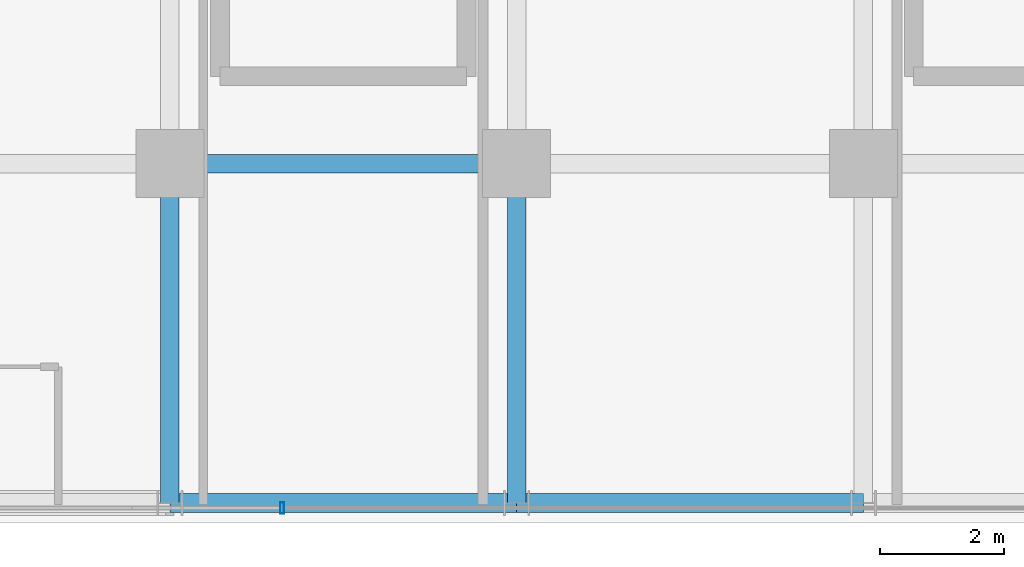
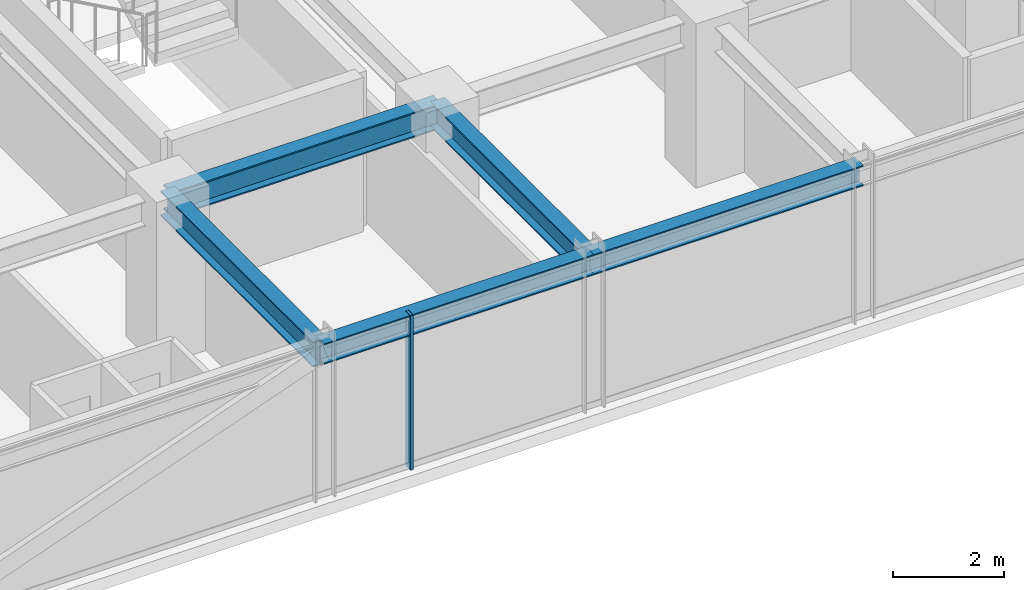
# One storey, part 4 of 32: 5 beams, 1 member, 1 element without a shape of its own.
"""IFC4 building model written with IfcOpenShell, lengths in metres."""

from ifc_helpers import new_model, si_unit, direction, frame, origin, origin_2d, place, context, subcontext, project, spatial, hollow_rectangle, i_section, extrude, source, transform, mapped, material, material_profile, profile_set, type_object, element, aggregate, save


model = new_model("IFC4")

# Units and contexts
model_context = context("Model", 3, precision=1e-05, world=origin(), true_north=direction((0.0, 1.0)))
body_context = subcontext(model_context, "Body", "Model", "MODEL_VIEW")
ifc_project = project(units=[si_unit("LENGTHUNIT", "METRE"), si_unit("AREAUNIT", "SQUARE_METRE"), si_unit("VOLUMEUNIT", "CUBIC_METRE"), si_unit("PLANEANGLEUNIT", "RADIAN"), si_unit("MASSUNIT", "GRAM", prefix="KILO")], contexts=[model_context])

# Site, building, storey
site_placement = place(None, origin())
site = spatial("IfcSite", under=ifc_project, at=site_placement, CompositionType="ELEMENT")
building_placement = place(site_placement, origin())
building = spatial("IfcBuilding", under=site, at=building_placement, Name="Nahalor Promenade Grand Hotel", CompositionType="ELEMENT")
storey_placement = place(building_placement, frame((0.0, 0.0, 152.64990234375)))
storey = spatial("IfcBuildingStorey", under=building, at=storey_placement, Name="L38", CompositionType="ELEMENT", Elevation=152.64990234375)

# Beams
ifc_material_1 = material(Name="Steel S355JR", Category="steel")
ifc_material_profile_1 = material_profile(ifc_material_1, i_section(OverallWidth=0.3, OverallDepth=0.55, WebThickness=0.015, FlangeThickness=0.029, at=origin_2d()), Name="HEB 550")
ifc_profile_set_1 = profile_set([ifc_material_profile_1], Name="Steel S355JR")
beam_type_1 = type_object("IfcBeamType", Name="Beam-Girder-HEB550", PredefinedType="BEAM", material=ifc_profile_set_1)
shared_shape_1 = source(origin(), body_context, "Body", "SweptSolid", [
    extrude(i_section(OverallWidth=0.3, OverallDepth=0.55, WebThickness=0.015, FlangeThickness=0.029, at=origin_2d()), origin(), (0.0, 0.0, 1.0), 5.599853515625),
])
beam_1_placement = place(storey_placement, frame((-8.39990234375, -17.0, 3.114990234375), z_axis=(1.0, 0.0, 0.0), x_axis=(0.0, 1.0, 0.0)))
element("IfcBeam", 1, at=beam_1_placement, inside=storey, type_object=beam_type_1, Name="BM-L38-GX-0-2", PredefinedType="BEAM", context=body_context, shape_type="MappedRepresentation", body=[
    mapped(shared_shape_1, transform((0.0, 0.0, 0.0), scale=1.0)),
])
shared_shape_2 = source(origin(), body_context, "Body", "SweptSolid", [
    extrude(i_section(OverallWidth=0.3, OverallDepth=0.55, WebThickness=0.015, FlangeThickness=0.029, at=origin_2d()), origin(), (0.0, 0.0, 1.0), 5.47998046875),
])
for number, where, z_axis, x_axis, name in (
    (2, (-8.39990234375, -22.47998046875, 3.114990234375), (0.0, 1.0, 0.0), (-1.0, 0.0, 0.0), "BM-L38-GY-1-0"),
    (3, (-2.800048828125, -22.47998046875, 3.114990234375), (0.0, 1.0, 0.0), (-1.0, 0.0, 0.0), "BM-L38-GY-2-0"),
):
    element("IfcBeam", number, at=place(storey_placement, frame(where, z_axis=z_axis, x_axis=x_axis)), inside=storey, type_object=beam_type_1, Name=name, PredefinedType="BEAM", context=body_context, shape_type="MappedRepresentation", body=[
        mapped(shared_shape_2, transform((0.0, 0.0, 0.0), scale=1.0)),
    ])
ifc_material_profile_2 = material_profile(ifc_material_1, i_section(OverallWidth=0.3, OverallDepth=0.45, WebThickness=0.014, FlangeThickness=0.026, at=origin_2d()), Name="HEB 450")
ifc_profile_set_2 = profile_set([ifc_material_profile_2], Name="Steel S355JR")
beam_type_2 = type_object("IfcBeamType", Name="Beam-Spandrel-HEB450", PredefinedType="SPANDREL", material=ifc_profile_set_2)
shared_shape_3 = source(origin(), body_context, "Body", "SweptSolid", [
    extrude(i_section(OverallWidth=0.3, OverallDepth=0.45, WebThickness=0.014, FlangeThickness=0.026, at=origin_2d()), origin(), (0.0, 0.0, 1.0), 5.599853515625),
])
beam_2_placement = place(storey_placement, frame((-8.39990234375, -22.47998046875, 3.1650390625), z_axis=(1.0, 0.0, 0.0), x_axis=(0.0, 1.0, 0.0)))
element("IfcBeam", 4, at=beam_2_placement, inside=storey, type_object=beam_type_2, Name="BM-L38-SP-S-1", PredefinedType="SPANDREL", context=body_context, shape_type="MappedRepresentation", body=[
    mapped(shared_shape_3, transform((0.0, 0.0, 0.0), scale=1.0)),
])
shared_shape_4 = source(origin(), body_context, "Body", "SweptSolid", [
    extrude(i_section(OverallWidth=0.3, OverallDepth=0.45, WebThickness=0.014, FlangeThickness=0.026, at=origin_2d()), origin(), (0.0, 0.0, 1.0), 5.60009765625),
])
beam_3_placement = place(storey_placement, frame((-2.800048828125, -22.47998046875, 3.1650390625), z_axis=(1.0, 0.0, 0.0), x_axis=(0.0, 1.0, 0.0)))
element("IfcBeam", 5, at=beam_3_placement, inside=storey, type_object=beam_type_2, Name="BM-L38-SP-S-2", PredefinedType="SPANDREL", context=body_context, shape_type="MappedRepresentation", body=[
    mapped(shared_shape_4, transform((0.0, 0.0, 0.0), scale=1.0)),
])

# Curtain wall, member
ifc_material_2 = material(Name="Anodised Bronze Aluminium EN AW-6063 T6", Category="aluminium")
curtain_wall_type = type_object("IfcCurtainWallType", Name="CW2 Typical Hotel Flush Bronze Unitised Curtain Wall", PredefinedType="USERDEFINED", material=ifc_material_2)
curtain_wall_placement = place(storey_placement, origin())
curtain_wall = element("IfcCurtainWall", 6, at=curtain_wall_placement, inside=storey, type_object=curtain_wall_type, Name="L38 Curtain Wall CW-L38-S-1", ObjectType="UNITISED_CURTAIN_WALL", PredefinedType="USERDEFINED")
ifc_material_profile_3 = material_profile(ifc_material_2, hollow_rectangle(XDim=0.065, YDim=0.18, WallThickness=0.004, at=origin_2d()), Name="CWM 65x180x4")
ifc_profile_set_3 = profile_set([ifc_material_profile_3], Name="Anodised Bronze Aluminium EN AW-6063 T6")
member_type = type_object("IfcMemberType", Name="CWM2 Typical Bronze Mullion 65x180", PredefinedType="MULLION", material=ifc_profile_set_3)
shared_shape_5 = source(origin(), body_context, "Body", "SweptSolid", [
    extrude(hollow_rectangle(XDim=0.065, YDim=0.18, WallThickness=0.004, at=origin_2d()), origin(), (0.0, 0.0, 1.0), 3.39013671875),
])
member_placement = place(storey_placement, frame((-6.586669921875, -22.56005859375, 0.0), z_axis=(0.0, 0.0, 1.0), x_axis=(1.0, 0.0, 0.0)))
member = element("IfcMember", 7, at=member_placement, type_object=member_type, Name="CW-L38-S-1 Mullion 1", PredefinedType="MULLION", context=body_context, shape_type="MappedRepresentation", body=[
    mapped(shared_shape_5, transform((0.0, 0.0, 0.0), scale=1.0)),
])
aggregate(curtain_wall, [member])

save(model, "model.ifc")
